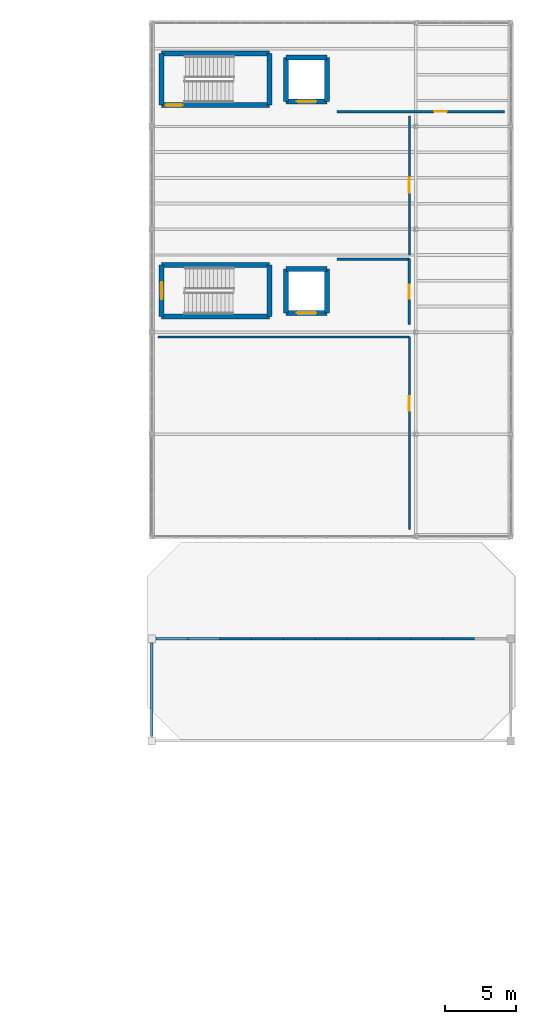
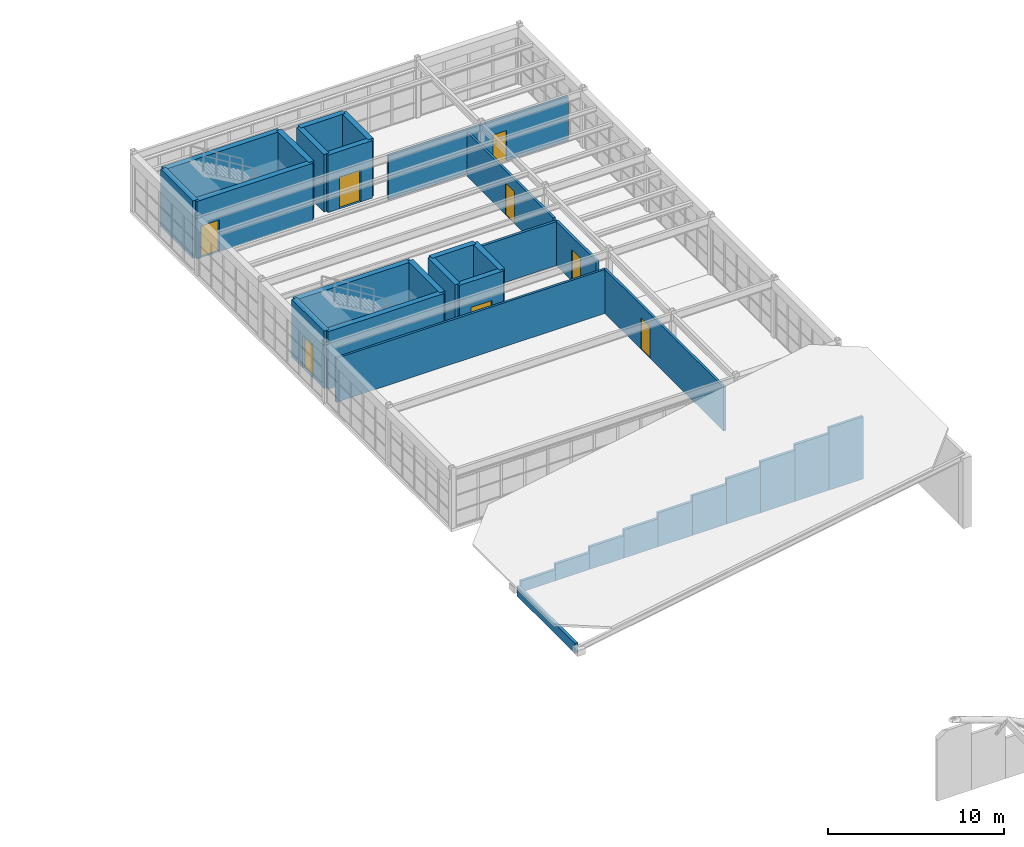
# One storey, part 48 of 52: 33 walls, 8 doors, 8 openings.
"""IFC4 building model written with IfcOpenShell, lengths in metres."""

from ifc_helpers import new_model, si_unit, direction, frame, frame_2d, origin, place, context, subcontext, project, spatial, rectangle, extrude, material, layer, layer_set, type_object, element, fill, save


model = new_model("IFC4")

# Units and contexts
model_context = context("Model", 3, precision=1e-05, world=origin(), true_north=direction((0.0, 1.0)))
body_context = subcontext(model_context, "Body", "Model", "MODEL_VIEW")
ifc_project = project(units=[si_unit("LENGTHUNIT", "METRE"), si_unit("AREAUNIT", "SQUARE_METRE"), si_unit("VOLUMEUNIT", "CUBIC_METRE"), si_unit("PLANEANGLEUNIT", "RADIAN"), si_unit("MASSUNIT", "GRAM", prefix="KILO")], contexts=[model_context])

# Site, building, storey
site_placement = place(None, origin())
site = spatial("IfcSite", under=ifc_project, at=site_placement, CompositionType="ELEMENT")
building_placement = place(site_placement, origin())
building = spatial("IfcBuilding", under=site, at=building_placement, Name="Candilejo Ridge Gondola Terminal", CompositionType="ELEMENT")
storey_placement = place(building_placement, frame((0.0, 0.0, 18.60009765625)))
storey = spatial("IfcBuildingStorey", under=building, at=storey_placement, Name="L04", CompositionType="ELEMENT", Elevation=18.60009765625)

# Walls
ifc_material_1 = material(Name="Concrete f'c 35 MPa (C35/45)", Category="concrete")
ifc_layer_1 = layer(ifc_material_1, 0.179931640625)
ifc_layer_set_1 = layer_set([ifc_layer_1], Name="ARC-PARAPET-WALL-180")
wall_type_1 = type_object("IfcWallType", Name="ARC-PARAPET-WALL-180", PredefinedType="PARAPET", material=ifc_layer_set_1)
wall_1_placement = place(storey_placement, frame((150.0, 70.554931640625, -0.210205078125), z_axis=(0.0, 0.0, 1.0), x_axis=(0.0, 1.0, 0.0)))
element("IfcWall", 1, at=wall_1_placement, inside=storey, type_object=wall_type_1, Name="Roof perimeter gable/spandrel wall L04-125", PredefinedType="PARAPET", context=body_context, shape_type="SweptSolid", body=[
    extrude(rectangle(XDim=6.590087890625, YDim=0.179931640625, at=frame_2d((3.294921875, 0.0))), origin(), (0.0, 0.0, 1.0), 0.710205078125),
])
wall_2_placement = place(storey_placement, frame((150.304931640625, 77.449951171875, -0.210205078125), z_axis=(0.0, 0.0, 1.0), x_axis=(1.0, 0.0, 0.0)))
element("IfcWall", 2, at=wall_2_placement, inside=storey, type_object=wall_type_1, Name="Roof perimeter gable/spandrel wall L04-127", PredefinedType="PARAPET", context=body_context, shape_type="SweptSolid", body=[
    extrude(rectangle(XDim=2.24462890625, YDim=0.179931640625, at=frame_2d((1.122314453125, 0.0))), origin(), (0.0, 0.0, 1.0), 0.763916015625),
])
wall_3_placement = place(storey_placement, frame((152.549560546875, 77.449951171875, -0.210205078125), z_axis=(0.0, 0.0, 1.0), x_axis=(1.0, 0.0, 0.0)))
element("IfcWall", 3, at=wall_3_placement, inside=storey, type_object=wall_type_1, Name="Roof perimeter gable/spandrel wall L04-128", PredefinedType="PARAPET", context=body_context, shape_type="SweptSolid", body=[
    extrude(rectangle(XDim=2.24462890625, YDim=0.179931640625, at=frame_2d((1.122314453125, 0.0))), origin(), (0.0, 0.0, 1.0), 1.159912109375),
])
wall_4_placement = place(storey_placement, frame((154.794189453125, 77.449951171875, -0.210205078125), z_axis=(0.0, 0.0, 1.0), x_axis=(1.0, 0.0, 0.0)))
element("IfcWall", 4, at=wall_4_placement, inside=storey, type_object=wall_type_1, Name="Roof perimeter gable/spandrel wall L04-129", PredefinedType="PARAPET", context=body_context, shape_type="SweptSolid", body=[
    extrude(rectangle(XDim=2.244384765625, YDim=0.179931640625, at=frame_2d((1.1220703125, 0.0))), origin(), (0.0, 0.0, 1.0), 1.555419921875),
])
wall_5_placement = place(storey_placement, frame((157.03857421875, 77.449951171875, -0.210205078125), z_axis=(0.0, 0.0, 1.0), x_axis=(1.0, 0.0, 0.0)))
element("IfcWall", 5, at=wall_5_placement, inside=storey, type_object=wall_type_1, Name="Roof perimeter gable/spandrel wall L04-130", PredefinedType="PARAPET", context=body_context, shape_type="SweptSolid", body=[
    extrude(rectangle(XDim=2.24462890625, YDim=0.179931640625, at=frame_2d((1.122314453125, 0.0))), origin(), (0.0, 0.0, 1.0), 1.951416015625),
])
wall_6_placement = place(storey_placement, frame((159.283203125, 77.449951171875, -0.210205078125), z_axis=(0.0, 0.0, 1.0), x_axis=(1.0, 0.0, 0.0)))
element("IfcWall", 6, at=wall_6_placement, inside=storey, type_object=wall_type_1, Name="Roof perimeter gable/spandrel wall L04-131", PredefinedType="PARAPET", context=body_context, shape_type="SweptSolid", body=[
    extrude(rectangle(XDim=2.244384765625, YDim=0.179931640625, at=frame_2d((1.1220703125, 0.0))), origin(), (0.0, 0.0, 1.0), 2.34716796875),
])
wall_7_placement = place(storey_placement, frame((161.527587890625, 77.449951171875, -0.210205078125), z_axis=(0.0, 0.0, 1.0), x_axis=(1.0, 0.0, 0.0)))
element("IfcWall", 7, at=wall_7_placement, inside=storey, type_object=wall_type_1, Name="Roof perimeter gable/spandrel wall L04-132", PredefinedType="PARAPET", context=body_context, shape_type="SweptSolid", body=[
    extrude(rectangle(XDim=2.24462890625, YDim=0.179931640625, at=frame_2d((1.122314453125, 0.0))), origin(), (0.0, 0.0, 1.0), 2.742919921875),
])
wall_8_placement = place(storey_placement, frame((163.772216796875, 77.449951171875, -0.210205078125), z_axis=(0.0, 0.0, 1.0), x_axis=(1.0, 0.0, 0.0)))
element("IfcWall", 8, at=wall_8_placement, inside=storey, type_object=wall_type_1, Name="Roof perimeter gable/spandrel wall L04-133", PredefinedType="PARAPET", context=body_context, shape_type="SweptSolid", body=[
    extrude(rectangle(XDim=2.24462890625, YDim=0.179931640625, at=frame_2d((1.122314453125, 0.0))), origin(), (0.0, 0.0, 1.0), 3.138671875),
])
wall_9_placement = place(storey_placement, frame((166.016845703125, 77.449951171875, -0.210205078125), z_axis=(0.0, 0.0, 1.0), x_axis=(1.0, 0.0, 0.0)))
element("IfcWall", 9, at=wall_9_placement, inside=storey, type_object=wall_type_1, Name="Roof perimeter gable/spandrel wall L04-134", PredefinedType="PARAPET", context=body_context, shape_type="SweptSolid", body=[
    extrude(rectangle(XDim=2.24462890625, YDim=0.179931640625, at=frame_2d((1.122314453125, 0.0))), origin(), (0.0, 0.0, 1.0), 3.534423828125),
])
wall_10_placement = place(storey_placement, frame((168.261474609375, 77.449951171875, -0.210205078125), z_axis=(0.0, 0.0, 1.0), x_axis=(1.0, 0.0, 0.0)))
element("IfcWall", 10, at=wall_10_placement, inside=storey, type_object=wall_type_1, Name="Roof perimeter gable/spandrel wall L04-135", PredefinedType="PARAPET", context=body_context, shape_type="SweptSolid", body=[
    extrude(rectangle(XDim=2.244384765625, YDim=0.179931640625, at=frame_2d((1.1220703125, 0.0))), origin(), (0.0, 0.0, 1.0), 3.93017578125),
])
wall_11_placement = place(storey_placement, frame((170.505859375, 77.449951171875, -0.210205078125), z_axis=(0.0, 0.0, 1.0), x_axis=(1.0, 0.0, 0.0)))
element("IfcWall", 11, at=wall_11_placement, inside=storey, type_object=wall_type_1, Name="Roof perimeter gable/spandrel wall L04-136", PredefinedType="PARAPET", context=body_context, shape_type="SweptSolid", body=[
    extrude(rectangle(XDim=2.24462890625, YDim=0.179931640625, at=frame_2d((1.122314453125, 0.0))), origin(), (0.0, 0.0, 1.0), 4.325927734375),
])

# Wall, opening, door
ifc_material_2 = material(Name="Gypsum board Type X acoustic partition (2x15.9 mm)", Category="gypsum")
ifc_layer_2 = layer(ifc_material_2, 0.14990234375)
ifc_layer_set_2 = layer_set([ifc_layer_2], Name="ARC-PART-GYP150-EI60")
wall_type_2 = type_object("IfcWallType", Name="ARC-PART-GYP150-EI60", PredefinedType="PARTITIONING", material=ifc_layer_set_2)
wall_12_placement = place(storey_placement, frame((168.14990234375, 85.14990234375, 0.0), z_axis=(0.0, 0.0, 1.0), x_axis=(0.0, 1.0, 0.0)))
wall_12 = element("IfcWall", 12, at=wall_12_placement, inside=storey, type_object=wall_type_2, Name="Interior partition PT-V5-L04-0133", PredefinedType="PARTITIONING", context=body_context, shape_type="SweptSolid", body=[
    extrude(rectangle(XDim=13.550048828125, YDim=0.14990234375, at=frame_2d((6.77490234375, 0.0))), origin(), (0.0, 0.0, 1.0), 3.0498046875),
])
opening_1_placement = place(wall_12_placement, frame((8.35009765625, 0.0, 0.0)))
opening_1 = element("IfcOpeningElement", 13, at=opening_1_placement, cuts=wall_12, Name="Opening ID-01A", PredefinedType="OPENING", context=body_context, shape_type="SweptSolid", body=[
    extrude(rectangle(XDim=1.050048828125, YDim=2.199951171875, at=frame_2d((0.52490234375, 1.10009765625))), frame((0.0, 0.0849609375, 0.0), z_axis=(0.0, -1.0, 0.0), x_axis=(1.0, 0.0, 0.0)), (0.0, 0.0, 1.0), 0.169921875),
])
ifc_material_3 = material(Name="Solid-core fire-rated hardwood door leaf", Category="wood")
door_type_1 = type_object("IfcDoorType", Name="ARC-DOOR-INT-1050", OperationType="NOTDEFINED", PredefinedType="DOOR", material=ifc_material_3)
door_1_placement = place(opening_1_placement, origin())
door_1 = element("IfcDoor", 14, at=door_1_placement, inside=storey, type_object=door_type_1, Name="Interior door IDR-0073 (406)", OperationType="SINGLE_SWING_LEFT", OverallHeight=2.199951171875, OverallWidth=1.050048828125, PredefinedType="DOOR", context=body_context, shape_type="SweptSolid", body=[
    extrude(rectangle(XDim=1.050048828125, YDim=2.199951171875, at=frame_2d((0.52490234375, 1.10009765625))), frame((0.0, 0.02490234375, 0.0), z_axis=(0.0, -1.0, 0.0), x_axis=(1.0, 0.0, 0.0)), (0.0, 0.0, 1.0), 0.050048828125),
])
fill(opening_1, door_1)

# Wall
wall_13_placement = place(storey_placement, frame((150.449951171875, 98.699951171875, 0.0), z_axis=(0.0, 0.0, 1.0), x_axis=(1.0, 0.0, 0.0)))
element("IfcWall", 15, at=wall_13_placement, inside=storey, type_object=wall_type_2, Name="Interior partition PT-V5-L04-0134", PredefinedType="PARTITIONING", context=body_context, shape_type="SweptSolid", body=[
    extrude(rectangle(XDim=17.699951171875, YDim=0.14990234375, at=frame_2d((8.85009765625, 0.0))), origin(), (0.0, 0.0, 1.0), 3.0498046875),
])

# Wall, opening, door
wall_14_placement = place(storey_placement, frame((168.14990234375, 104.5, 0.0), z_axis=(0.0, 0.0, 1.0), x_axis=(0.0, 1.0, 0.0)))
wall_14 = element("IfcWall", 16, at=wall_14_placement, inside=storey, type_object=wall_type_2, Name="Interior partition PT-V5-L04-0135", PredefinedType="PARTITIONING", context=body_context, shape_type="SweptSolid", body=[
    extrude(rectangle(XDim=9.800048828125, YDim=0.14990234375, at=frame_2d((4.89990234375, 0.0))), origin(), (0.0, 0.0, 1.0), 3.0498046875),
])
opening_2_placement = place(wall_14_placement, frame((4.375, 0.0, 0.0)))
opening_2 = element("IfcOpeningElement", 17, at=opening_2_placement, cuts=wall_14, Name="Opening ID-01A", PredefinedType="OPENING", context=body_context, shape_type="SweptSolid", body=[
    extrude(rectangle(XDim=1.050048828125, YDim=2.199951171875, at=frame_2d((0.52490234375, 1.10009765625))), frame((0.0, 0.0849609375, 0.0), z_axis=(0.0, -1.0, 0.0), x_axis=(1.0, 0.0, 0.0)), (0.0, 0.0, 1.0), 0.169921875),
])
door_2_placement = place(opening_2_placement, origin())
door_2 = element("IfcDoor", 18, at=door_2_placement, inside=storey, type_object=door_type_1, Name="Interior door IDR-0074 (407)", OperationType="SINGLE_SWING_RIGHT", OverallHeight=2.199951171875, OverallWidth=1.050048828125, PredefinedType="DOOR", context=body_context, shape_type="SweptSolid", body=[
    extrude(rectangle(XDim=1.050048828125, YDim=2.199951171875, at=frame_2d((0.52490234375, 1.10009765625))), frame((0.0, 0.02490234375, 0.0), z_axis=(0.0, -1.0, 0.0), x_axis=(1.0, 0.0, 0.0)), (0.0, 0.0, 1.0), 0.050048828125),
])
fill(opening_2, door_2)

ifc_material_4 = material(Name="Concrete C20/25 masonry blockwork (f'm 14 MPa)", Category="masonry")
ifc_layer_3 = layer(ifc_material_4, 0.169921875)
ifc_layer_set_3 = layer_set([ifc_layer_3], Name="ARC-WALL-CMU170-EI90")
wall_type_3 = type_object("IfcWallType", Name="ARC-WALL-CMU170-EI90", PredefinedType="SOLIDWALL", material=ifc_layer_set_3)
wall_15_placement = place(storey_placement, frame((168.14990234375, 99.60009765625, 0.0), z_axis=(0.0, 0.0, 1.0), x_axis=(0.0, 1.0, 0.0)))
wall_15 = element("IfcWall", 19, at=wall_15_placement, inside=storey, type_object=wall_type_3, Name="Interior partition PT-V5-L04-0136", PredefinedType="SOLIDWALL", context=body_context, shape_type="SweptSolid", body=[
    extrude(rectangle(XDim=4.599853515625, YDim=0.169921875, at=frame_2d((2.2998046875, 0.0))), origin(), (0.0, 0.0, 1.0), 3.0498046875),
])
opening_3_placement = place(wall_15_placement, frame((1.800048828125, 0.0, 0.0)))
opening_3 = element("IfcOpeningElement", 20, at=opening_3_placement, cuts=wall_15, Name="Opening FD-02", PredefinedType="OPENING", context=body_context, shape_type="SweptSolid", body=[
    extrude(rectangle(XDim=1.0, YDim=2.14990234375, at=frame_2d((0.5, 1.074951171875))), frame((0.0, 0.094970703125, 0.0), z_axis=(0.0, -1.0, 0.0), x_axis=(1.0, 0.0, 0.0)), (0.0, 0.0, 1.0), 0.18994140625),
])
ifc_material_5 = material(Name="Steel ASTM A653 Grade 33 hollow-metal door", Category="steel")
door_type_2 = type_object("IfcDoorType", Name="ARC-DOOR-FD60-1000", OperationType="NOTDEFINED", PredefinedType="DOOR", material=ifc_material_5)
door_3_placement = place(opening_3_placement, origin())
door_3 = element("IfcDoor", 21, at=door_3_placement, inside=storey, type_object=door_type_2, Name="Interior door IDR-0075 (409)", OperationType="SINGLE_SWING_LEFT", OverallHeight=2.14990234375, OverallWidth=1.0, PredefinedType="DOOR", context=body_context, shape_type="SweptSolid", body=[
    extrude(rectangle(XDim=1.0, YDim=2.14990234375, at=frame_2d((0.5, 1.074951171875))), frame((0.0, 0.02490234375, 0.0), z_axis=(0.0, -1.0, 0.0), x_axis=(1.0, 0.0, 0.0)), (0.0, 0.0, 1.0), 0.050048828125),
])
fill(opening_3, door_3)

# Wall
wall_16_placement = place(storey_placement, frame((163.050048828125, 104.199951171875, 0.0), z_axis=(0.0, 0.0, 1.0), x_axis=(1.0, 0.0, 0.0)))
element("IfcWall", 22, at=wall_16_placement, inside=storey, type_object=wall_type_3, Name="Interior partition PT-V5-L04-0137", PredefinedType="SOLIDWALL", context=body_context, shape_type="SweptSolid", body=[
    extrude(rectangle(XDim=5.099853515625, YDim=0.169921875, at=frame_2d((2.5498046875, 0.0))), origin(), (0.0, 0.0, 1.0), 3.0498046875),
])

# Wall, opening, door
ifc_material_6 = material(Name="Concrete C20/25 masonry blockwork (f'm 14 MPa)", Category="masonry")
ifc_layer_4 = layer(ifc_material_6, 0.179931640625)
ifc_layer_set_4 = layer_set([ifc_layer_4], Name="ARC-WALL-PLUMBING-180")
wall_type_4 = type_object("IfcWallType", Name="ARC-WALL-PLUMBING-180", PredefinedType="PLUMBINGWALL", material=ifc_layer_set_4)
wall_17_placement = place(storey_placement, frame((163.050048828125, 114.60009765625, 0.0), z_axis=(0.0, 0.0, 1.0), x_axis=(1.0, 0.0, 0.0)))
wall_17 = element("IfcWall", 23, at=wall_17_placement, inside=storey, type_object=wall_type_4, Name="Interior partition PT-V5-L04-0138", PredefinedType="PLUMBINGWALL", context=body_context, shape_type="SweptSolid", body=[
    extrude(rectangle(XDim=11.800048828125, YDim=0.179931640625, at=frame_2d((5.89990234375, 0.0))), origin(), (0.0, 0.0, 1.0), 3.0498046875),
])
opening_4_placement = place(wall_17_placement, frame((6.85009765625, 0.0, 0.0)))
opening_4 = element("IfcOpeningElement", 24, at=opening_4_placement, cuts=wall_17, Name="Opening ID-04", PredefinedType="OPENING", context=body_context, shape_type="SweptSolid", body=[
    extrude(rectangle(XDim=0.89990234375, YDim=2.10009765625, at=frame_2d((0.449951171875, 1.050048828125))), frame((0.0, 0.099853515625, 0.0), z_axis=(0.0, -1.0, 0.0), x_axis=(1.0, 0.0, 0.0)), (0.0, 0.0, 1.0), 0.199951171875),
])
ifc_material_7 = material(Name="Solid-core fire-rated hardwood door leaf", Category="wood")
door_type_3 = type_object("IfcDoorType", Name="ARC-DOOR-WC-0900", OperationType="NOTDEFINED", PredefinedType="DOOR", material=ifc_material_7)
door_4_placement = place(opening_4_placement, origin())
door_4 = element("IfcDoor", 25, at=door_4_placement, inside=storey, type_object=door_type_3, Name="Interior door IDR-0076 (410)", OperationType="SINGLE_SWING_RIGHT", OverallHeight=2.10009765625, OverallWidth=0.89990234375, PredefinedType="DOOR", context=body_context, shape_type="SweptSolid", body=[
    extrude(rectangle(XDim=0.89990234375, YDim=2.10009765625, at=frame_2d((0.449951171875, 1.050048828125))), frame((0.0, 0.02490234375, 0.0), z_axis=(0.0, -1.0, 0.0), x_axis=(1.0, 0.0, 0.0)), (0.0, 0.0, 1.0), 0.050048828125),
])
fill(opening_4, door_4)

# Walls
ifc_material_8 = material(Name="Concrete f'c 35 MPa (C35/45)", Category="concrete")
ifc_layer_5 = layer(ifc_material_8, 0.35009765625)
ifc_layer_set_5 = layer_set([ifc_layer_5], Name="STR-CORE-WALL-350")
wall_type_5 = type_object("IfcWallType", Name="STR-CORE-WALL-350", PredefinedType="SHEAR", material=ifc_layer_set_5)
for number, where, z_axis, x_axis, name in (
    (26, (150.699951171875, 100.14990234375, 0.0), (0.0, 0.0, 1.0), (1.0, 0.0, 0.0), "Core stair shear wall SW-C-V5A-L04-ST-S"),
    (27, (158.300048828125, 103.800048828125, 0.0), (0.0, 0.0, 1.0), (-1.0, 0.0, 0.0), "Core stair shear wall SW-C-V5A-L04-ST-N"),
):
    element("IfcWall", number, at=place(storey_placement, frame(where, z_axis=z_axis, x_axis=x_axis)), inside=storey, type_object=wall_type_5, Name=name, PredefinedType="SHEAR", context=body_context, shape_type="SweptSolid", body=[
        extrude(rectangle(XDim=7.60009765625, YDim=0.35009765625, at=frame_2d((3.800048828125, 0.0))), origin(), (0.0, 0.0, 1.0), 3.989990234375),
    ])

# Wall, opening, door
wall_18_placement = place(storey_placement, frame((150.699951171875, 103.800048828125, 0.0), z_axis=(0.0, 0.0, 1.0), x_axis=(0.0, -1.0, 0.0)))
wall_18 = element("IfcWall", 28, at=wall_18_placement, inside=storey, type_object=wall_type_5, Name="Core stair shear wall SW-C-V5A-L04-ST-W", PredefinedType="SHEAR", context=body_context, shape_type="SweptSolid", body=[
    extrude(rectangle(XDim=3.650146484375, YDim=0.35009765625, at=frame_2d((1.8251953125, 0.0))), origin(), (0.0, 0.0, 1.0), 3.989990234375),
])
opening_5_placement = place(wall_18_placement, frame((1.22509765625, 0.0, 0.0)))
opening_5 = element("IfcOpeningElement", 29, at=opening_5_placement, cuts=wall_18, Name="Opening FD-01", PredefinedType="OPENING", context=body_context, shape_type="SweptSolid", body=[
    extrude(rectangle(XDim=1.199951171875, YDim=2.199951171875, at=frame_2d((0.60009765625, 1.10009765625))), frame((0.0, 0.18505859375, 0.0), z_axis=(0.0, -1.0, 0.0), x_axis=(1.0, 0.0, 0.0)), (0.0, 0.0, 1.0), 0.3701171875),
])
ifc_material_9 = material(Name="Steel ASTM A653 Grade 33 hollow-metal door", Category="steel")
door_type_4 = type_object("IfcDoorType", Name="ARC-DOOR-FD90-1200", OperationType="NOTDEFINED", PredefinedType="DOOR", material=ifc_material_9)
door_5_placement = place(opening_5_placement, origin())
door_5 = element("IfcDoor", 30, at=door_5_placement, inside=storey, type_object=door_type_4, Name="Fire stair door SDR-036", OperationType="SINGLE_SWING_RIGHT", OverallHeight=2.199951171875, OverallWidth=1.199951171875, PredefinedType="DOOR", context=body_context, shape_type="SweptSolid", body=[
    extrude(rectangle(XDim=1.199951171875, YDim=2.199951171875, at=frame_2d((0.60009765625, 1.10009765625))), frame((0.0, 0.02490234375, 0.0), z_axis=(0.0, -1.0, 0.0), x_axis=(1.0, 0.0, 0.0)), (0.0, 0.0, 1.0), 0.050048828125),
])
fill(opening_5, door_5)

# Wall
wall_19_placement = place(storey_placement, frame((158.300048828125, 100.14990234375, 0.0), z_axis=(0.0, 0.0, 1.0), x_axis=(0.0, 1.0, 0.0)))
element("IfcWall", 31, at=wall_19_placement, inside=storey, type_object=wall_type_5, Name="Core stair shear wall SW-C-V5A-L04-ST-E", PredefinedType="SHEAR", context=body_context, shape_type="SweptSolid", body=[
    extrude(rectangle(XDim=3.650146484375, YDim=0.35009765625, at=frame_2d((1.8251953125, 0.0))), origin(), (0.0, 0.0, 1.0), 3.989990234375),
])

# Wall, opening, door
wall_20_placement = place(storey_placement, frame((159.449951171875, 100.39990234375, 0.0), z_axis=(0.0, 0.0, 1.0), x_axis=(1.0, 0.0, 0.0)))
wall_20 = element("IfcWall", 32, at=wall_20_placement, inside=storey, type_object=wall_type_5, Name="Lift shaft shear wall SW-C-V5A-L04-LF-S", PredefinedType="SHEAR", context=body_context, shape_type="SweptSolid", body=[
    extrude(rectangle(XDim=2.900146484375, YDim=0.35009765625, at=frame_2d((1.4501953125, 0.0))), origin(), (0.0, 0.0, 1.0), 3.989990234375),
])
opening_6_placement = place(wall_20_placement, frame((0.75, 0.0, 0.0)))
opening_6 = element("IfcOpeningElement", 33, at=opening_6_placement, cuts=wall_20, Name="Opening LD-02", PredefinedType="OPENING", context=body_context, shape_type="SweptSolid", body=[
    extrude(rectangle(XDim=1.39990234375, YDim=2.199951171875, at=frame_2d((0.699951171875, 1.10009765625))), frame((0.0, 0.18505859375, 0.0), z_axis=(0.0, -1.0, 0.0), x_axis=(1.0, 0.0, 0.0)), (0.0, 0.0, 1.0), 0.3701171875),
])
ifc_material_10 = material(Name="Brushed stainless steel AISI 316", Category="steel")
door_type_5 = type_object("IfcDoorType", Name="ARC-LIFT-DOOR-1400", OperationType="NOTDEFINED", PredefinedType="DOOR", material=ifc_material_10)
door_6_placement = place(opening_6_placement, origin())
door_6 = element("IfcDoor", 34, at=door_6_placement, inside=storey, type_object=door_type_5, Name="Elevator landing door LDR-036", OperationType="SLIDING_TO_LEFT", OverallHeight=2.199951171875, OverallWidth=1.39990234375, PredefinedType="DOOR", context=body_context, shape_type="SweptSolid", body=[
    extrude(rectangle(XDim=1.39990234375, YDim=2.199951171875, at=frame_2d((0.699951171875, 1.10009765625))), frame((0.0, 0.02490234375, 0.0), z_axis=(0.0, -1.0, 0.0), x_axis=(1.0, 0.0, 0.0)), (0.0, 0.0, 1.0), 0.050048828125),
])
fill(opening_6, door_6)

# Walls
wall_21_placement = place(storey_placement, frame((159.449951171875, 103.5, 0.0), z_axis=(0.0, 0.0, 1.0), x_axis=(1.0, 0.0, 0.0)))
element("IfcWall", 35, at=wall_21_placement, inside=storey, type_object=wall_type_5, Name="Lift shaft shear wall SW-C-V5A-L04-LF-N", PredefinedType="SHEAR", context=body_context, shape_type="SweptSolid", body=[
    extrude(rectangle(XDim=2.900146484375, YDim=0.35009765625, at=frame_2d((1.4501953125, 0.0))), origin(), (0.0, 0.0, 1.0), 3.989990234375),
])
for number, where, z_axis, x_axis, name in (
    (36, (159.449951171875, 100.39990234375, 0.0), (0.0, 0.0, 1.0), (0.0, 1.0, 0.0), "Lift shaft shear wall SW-C-V5A-L04-LF-W"),
    (37, (162.35009765625, 100.39990234375, 0.0), (0.0, 0.0, 1.0), (0.0, 1.0, 0.0), "Lift shaft shear wall SW-C-V5A-L04-LF-E"),
):
    element("IfcWall", number, at=place(storey_placement, frame(where, z_axis=z_axis, x_axis=x_axis)), inside=storey, type_object=wall_type_5, Name=name, PredefinedType="SHEAR", context=body_context, shape_type="SweptSolid", body=[
        extrude(rectangle(XDim=3.10009765625, YDim=0.35009765625, at=frame_2d((1.550048828125, 0.0))), origin(), (0.0, 0.0, 1.0), 3.989990234375),
    ])

# Wall, opening, door
wall_22_placement = place(storey_placement, frame((150.699951171875, 115.050048828125, 0.0), z_axis=(0.0, 0.0, 1.0), x_axis=(1.0, 0.0, 0.0)))
wall_22 = element("IfcWall", 38, at=wall_22_placement, inside=storey, type_object=wall_type_5, Name="Core stair shear wall SW-C-V5B-L04-ST-S", PredefinedType="SHEAR", context=body_context, shape_type="SweptSolid", body=[
    extrude(rectangle(XDim=7.60009765625, YDim=0.35009765625, at=frame_2d((3.800048828125, 0.0))), origin(), (0.0, 0.0, 1.0), 3.989990234375),
])
opening_7_placement = place(wall_22_placement, frame((0.280029296875, 0.0, 0.0)))
opening_7 = element("IfcOpeningElement", 39, at=opening_7_placement, cuts=wall_22, Name="Opening FD-01", PredefinedType="OPENING", context=body_context, shape_type="SweptSolid", body=[
    extrude(rectangle(XDim=1.199951171875, YDim=2.199951171875, at=frame_2d((0.60009765625, 1.10009765625))), frame((0.0, 0.18505859375, 0.0), z_axis=(0.0, -1.0, 0.0), x_axis=(1.0, 0.0, 0.0)), (0.0, 0.0, 1.0), 0.3701171875),
])
door_7_placement = place(opening_7_placement, origin())
door_7 = element("IfcDoor", 40, at=door_7_placement, inside=storey, type_object=door_type_4, Name="Fire stair door SDR-041", OperationType="SINGLE_SWING_LEFT", OverallHeight=2.199951171875, OverallWidth=1.199951171875, PredefinedType="DOOR", context=body_context, shape_type="SweptSolid", body=[
    extrude(rectangle(XDim=1.199951171875, YDim=2.199951171875, at=frame_2d((0.60009765625, 1.10009765625))), frame((0.0, 0.02490234375, 0.0), z_axis=(0.0, -1.0, 0.0), x_axis=(1.0, 0.0, 0.0)), (0.0, 0.0, 1.0), 0.050048828125),
])
fill(opening_7, door_7)

# Walls
wall_23_placement = place(storey_placement, frame((158.300048828125, 118.699951171875, 0.0), z_axis=(0.0, 0.0, 1.0), x_axis=(-1.0, 0.0, 0.0)))
element("IfcWall", 41, at=wall_23_placement, inside=storey, type_object=wall_type_5, Name="Core stair shear wall SW-C-V5B-L04-ST-N", PredefinedType="SHEAR", context=body_context, shape_type="SweptSolid", body=[
    extrude(rectangle(XDim=7.60009765625, YDim=0.35009765625, at=frame_2d((3.800048828125, 0.0))), origin(), (0.0, 0.0, 1.0), 3.989990234375),
])
for number, where, z_axis, x_axis, name in (
    (42, (150.699951171875, 118.699951171875, 0.0), (0.0, 0.0, 1.0), (0.0, -1.0, 0.0), "Core stair shear wall SW-C-V5B-L04-ST-W"),
    (43, (158.300048828125, 115.050048828125, 0.0), (0.0, 0.0, 1.0), (0.0, 1.0, 0.0), "Core stair shear wall SW-C-V5B-L04-ST-E"),
):
    element("IfcWall", number, at=place(storey_placement, frame(where, z_axis=z_axis, x_axis=x_axis)), inside=storey, type_object=wall_type_5, Name=name, PredefinedType="SHEAR", context=body_context, shape_type="SweptSolid", body=[
        extrude(rectangle(XDim=3.64990234375, YDim=0.35009765625, at=frame_2d((1.824951171875, 0.0))), origin(), (0.0, 0.0, 1.0), 3.989990234375),
    ])

# Wall, opening, door
wall_24_placement = place(storey_placement, frame((159.449951171875, 115.300048828125, 0.0), z_axis=(0.0, 0.0, 1.0), x_axis=(1.0, 0.0, 0.0)))
wall_24 = element("IfcWall", 44, at=wall_24_placement, inside=storey, type_object=wall_type_5, Name="Lift shaft shear wall SW-C-V5B-L04-LF-S", PredefinedType="SHEAR", context=body_context, shape_type="SweptSolid", body=[
    extrude(rectangle(XDim=2.900146484375, YDim=0.35009765625, at=frame_2d((1.4501953125, 0.0))), origin(), (0.0, 0.0, 1.0), 3.989990234375),
])
opening_8_placement = place(wall_24_placement, frame((0.75, 0.0, 0.0)))
opening_8 = element("IfcOpeningElement", 45, at=opening_8_placement, cuts=wall_24, Name="Opening LD-02", PredefinedType="OPENING", context=body_context, shape_type="SweptSolid", body=[
    extrude(rectangle(XDim=1.39990234375, YDim=2.199951171875, at=frame_2d((0.699951171875, 1.10009765625))), frame((0.0, 0.18505859375, 0.0), z_axis=(0.0, -1.0, 0.0), x_axis=(1.0, 0.0, 0.0)), (0.0, 0.0, 1.0), 0.3701171875),
])
door_8_placement = place(opening_8_placement, origin())
door_8 = element("IfcDoor", 46, at=door_8_placement, inside=storey, type_object=door_type_5, Name="Elevator landing door LDR-041", OperationType="SLIDING_TO_LEFT", OverallHeight=2.199951171875, OverallWidth=1.39990234375, PredefinedType="DOOR", context=body_context, shape_type="SweptSolid", body=[
    extrude(rectangle(XDim=1.39990234375, YDim=2.199951171875, at=frame_2d((0.699951171875, 1.10009765625))), frame((0.0, 0.02490234375, 0.0), z_axis=(0.0, -1.0, 0.0), x_axis=(1.0, 0.0, 0.0)), (0.0, 0.0, 1.0), 0.050048828125),
])
fill(opening_8, door_8)

# Walls
wall_25_placement = place(storey_placement, frame((159.449951171875, 118.39990234375, 0.0), z_axis=(0.0, 0.0, 1.0), x_axis=(1.0, 0.0, 0.0)))
element("IfcWall", 47, at=wall_25_placement, inside=storey, type_object=wall_type_5, Name="Lift shaft shear wall SW-C-V5B-L04-LF-N", PredefinedType="SHEAR", context=body_context, shape_type="SweptSolid", body=[
    extrude(rectangle(XDim=2.900146484375, YDim=0.35009765625, at=frame_2d((1.4501953125, 0.0))), origin(), (0.0, 0.0, 1.0), 3.989990234375),
])
for number, where, z_axis, x_axis, name in (
    (48, (159.449951171875, 115.300048828125, 0.0), (0.0, 0.0, 1.0), (0.0, 1.0, 0.0), "Lift shaft shear wall SW-C-V5B-L04-LF-W"),
    (49, (162.35009765625, 115.300048828125, 0.0), (0.0, 0.0, 1.0), (0.0, 1.0, 0.0), "Lift shaft shear wall SW-C-V5B-L04-LF-E"),
):
    element("IfcWall", number, at=place(storey_placement, frame(where, z_axis=z_axis, x_axis=x_axis)), inside=storey, type_object=wall_type_5, Name=name, PredefinedType="SHEAR", context=body_context, shape_type="SweptSolid", body=[
        extrude(rectangle(XDim=3.099853515625, YDim=0.35009765625, at=frame_2d((1.5498046875, 0.0))), origin(), (0.0, 0.0, 1.0), 3.989990234375),
    ])

save(model, "model.ifc")
